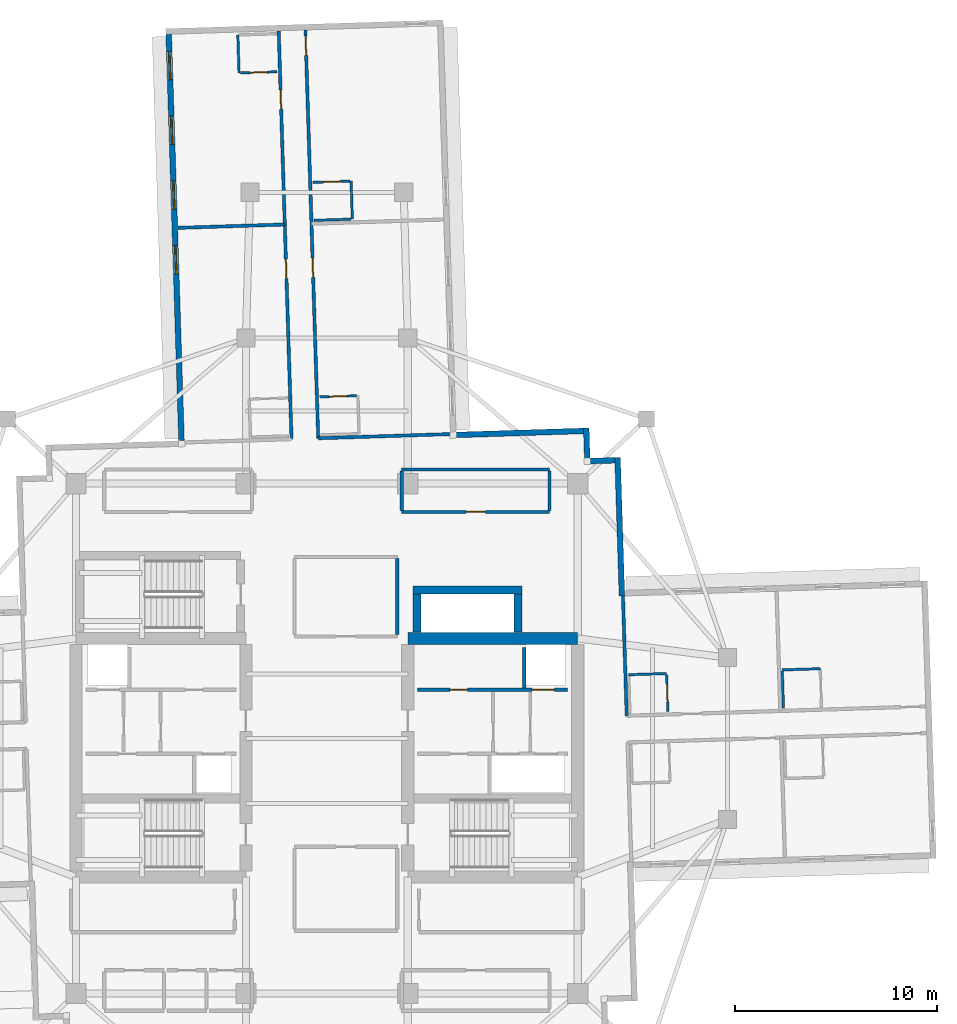
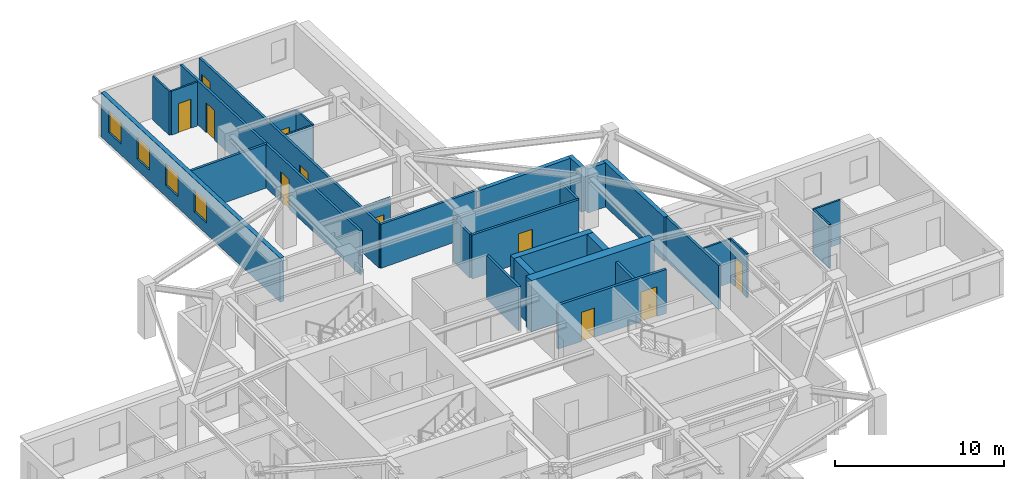
# One storey, part 7 of 12: 31 walls, 11 doors, 4 windows, 15 openings.
"""IFC4 building model written with IfcOpenShell, lengths in metres."""

from ifc_helpers import new_model, si_unit, direction, frame, frame_2d, origin, place, context, subcontext, project, spatial, rectangle, extrude, material, layer, layer_set, type_object, element, fill, save


model = new_model("IFC4")

# Units and contexts
model_context = context("Model", 3, precision=1e-05, world=origin(), true_north=direction((0.0, 1.0)))
body_context = subcontext(model_context, "Body", "Model", "MODEL_VIEW")
ifc_project = project(units=[si_unit("LENGTHUNIT", "METRE"), si_unit("AREAUNIT", "SQUARE_METRE"), si_unit("VOLUMEUNIT", "CUBIC_METRE"), si_unit("PLANEANGLEUNIT", "RADIAN"), si_unit("MASSUNIT", "GRAM", prefix="KILO")], contexts=[model_context])

# Site, building, storey
site_placement = place(None, origin())
site = spatial("IfcSite", under=ifc_project, at=site_placement, CompositionType="ELEMENT")
building_placement = place(site_placement, origin())
building = spatial("IfcBuilding", under=site, at=building_placement, Name="Qingluan Cross Belvedere", CompositionType="ELEMENT")
storey_placement = place(building_placement, frame((0.0, 0.0, 216.89990234375)))
storey = spatial("IfcBuildingStorey", under=building, at=storey_placement, Name="L54", CompositionType="ELEMENT", Elevation=216.89990234375)

# Walls
ifc_material_1 = material(Name="Concrete C50", Category="concrete")
ifc_layer_1 = layer(ifc_material_1, 0.449951171875, Name="CoreShearWall_450")
ifc_layer_set_1 = layer_set([ifc_layer_1], Name="Concrete C50")
wall_type_1 = type_object("IfcWallType", Name="CoreShearWall_450", PredefinedType="SHEAR", material=ifc_layer_set_1)
wall_1_placement = place(storey_placement, frame((4.449951171875, 5.2548828125, 0.0), z_axis=(0.0, 0.0, 1.0), x_axis=(0.0, 1.0, 0.0)))
element("IfcWall", 1, at=wall_1_placement, inside=storey, type_object=wall_type_1, Name="Express shuttle core wall L54-W", PredefinedType="SHEAR", context=body_context, shape_type="SweptSolid", body=[
    extrude(rectangle(XDim=1.885009765625, YDim=0.39990234375, at=frame_2d((0.9423828125, 0.0))), origin(), (0.0, 0.0, 1.0), 3.7001953125),
])
wall_2_placement = place(storey_placement, frame((4.25, 7.35009765625, 0.0), z_axis=(0.0, 0.0, 1.0), x_axis=(1.0, 0.0, 0.0)))
element("IfcWall", 2, at=wall_2_placement, inside=storey, type_object=wall_type_1, Name="Express shuttle core wall L54-N", PredefinedType="SHEAR", context=body_context, shape_type="SweptSolid", body=[
    extrude(rectangle(XDim=5.39990234375, YDim=0.39990234375, at=frame_2d((2.699951171875, 0.0))), origin(), (0.0, 0.0, 1.0), 3.7001953125),
])
wall_3_placement = place(storey_placement, frame((9.449951171875, 5.2548828125, 0.0), z_axis=(0.0, 0.0, 1.0), x_axis=(0.0, 1.0, 0.0)))
element("IfcWall", 3, at=wall_3_placement, inside=storey, type_object=wall_type_1, Name="Express shuttle core wall L54-E", PredefinedType="SHEAR", context=body_context, shape_type="SweptSolid", body=[
    extrude(rectangle(XDim=1.885009765625, YDim=0.39990234375, at=frame_2d((0.9423828125, 0.0))), origin(), (0.0, 0.0, 1.0), 3.7001953125),
])
ifc_material_2 = material(Name="Concrete C60", Category="concrete")
ifc_layer_2 = layer(ifc_material_2, 0.60009765625, Name="CoreShearWall_600")
ifc_layer_set_2 = layer_set([ifc_layer_2], Name="Concrete C60")
wall_type_2 = type_object("IfcWallType", Name="CoreShearWall_600", PredefinedType="SHEAR", material=ifc_layer_set_2)
wall_4_placement = place(storey_placement, frame((4.0, 4.949951171875, 0.0), z_axis=(0.0, 0.0, 1.0), x_axis=(1.0, 0.0, 0.0)))
element("IfcWall", 4, at=wall_4_placement, inside=storey, type_object=wall_type_2, Name="Split core E shear wall L54-N", PredefinedType="SHEAR", context=body_context, shape_type="SweptSolid", body=[
    extrude(rectangle(XDim=8.39990234375, YDim=0.60009765625, at=frame_2d((4.199951171875, 0.0))), origin(), (0.0, 0.0, 1.0), 3.7001953125),
])

# Wall, opening, door
ifc_material_3 = material(Name="Gypsum plasterboard on steel stud acoustic partition", Category="steel")
ifc_layer_3 = layer(ifc_material_3, 0.159912109375, Name="CorridorPartition_160")
ifc_layer_set_3 = layer_set([ifc_layer_3], Name="Gypsum plasterboard on steel stud acoustic partition")
wall_type_3 = type_object("IfcWallType", Name="CorridorPartition_160", PredefinedType="PARTITIONING", material=ifc_layer_set_3)
wall_5_placement = place(storey_placement, frame((3.699951171875, 11.199951171875, 0.0), z_axis=(0.0, 0.0, 1.0), x_axis=(1.0, 0.0, 0.0)))
wall_5 = element("IfcWall", 5, at=wall_5_placement, inside=storey, type_object=wall_type_3, Name="Partition L54:q_ne:S", PredefinedType="PARTITIONING", context=body_context, shape_type="SweptSolid", body=[
    extrude(rectangle(XDim=7.300048828125, YDim=0.159912109375, at=frame_2d((3.64990234375, 0.0))), origin(), (0.0, 0.0, 1.0), 3.170166015625),
])
opening_1_placement = place(wall_5_placement, frame((3.169921875, 0.0, 0.0)))
opening_1 = element("IfcOpeningElement", 6, at=opening_1_placement, cuts=wall_5, Name="Opening GD-10", PredefinedType="OPENING", context=body_context, shape_type="SweptSolid", body=[
    extrude(rectangle(XDim=0.9599609375, YDim=2.14990234375, at=frame_2d((0.47998046875, 1.074951171875))), frame((0.0, 0.08984375, 0.0), z_axis=(0.0, -1.0, 0.0), x_axis=(1.0, 0.0, 0.0)), (0.0, 0.0, 1.0), 0.179931640625),
])
ifc_material_4 = material(Name="Timber oak fire-rated acoustic guestroom door", Category="wood")
door_type_1 = type_object("IfcDoorType", Name="GuestEntryDoor_FD60", OperationType="NOTDEFINED", PredefinedType="DOOR", material=ifc_material_4)
door_1_placement = place(opening_1_placement, origin())
door_1 = element("IfcDoor", 7, at=door_1_placement, inside=storey, type_object=door_type_1, Name="Horizon club lounge L54 door", OperationType="SINGLE_SWING_LEFT", OverallHeight=2.14990234375, OverallWidth=0.9599609375, PredefinedType="DOOR", context=body_context, shape_type="SweptSolid", body=[
    extrude(rectangle(XDim=0.9599609375, YDim=2.14990234375, at=frame_2d((0.47998046875, 1.074951171875))), frame((0.0, 0.02490234375, 0.0), z_axis=(0.0, -1.0, 0.0), x_axis=(1.0, 0.0, 0.0)), (0.0, 0.0, 1.0), 0.050048828125),
])
fill(opening_1, door_1)

# Walls
wall_6_placement = place(storey_placement, frame((3.699951171875, 13.300048828125, 0.0), z_axis=(0.0, 0.0, 1.0), x_axis=(1.0, 0.0, 0.0)))
element("IfcWall", 8, at=wall_6_placement, inside=storey, type_object=wall_type_3, Name="Partition L54:q_ne:N", PredefinedType="PARTITIONING", context=body_context, shape_type="SweptSolid", body=[
    extrude(rectangle(XDim=7.300048828125, YDim=0.159912109375, at=frame_2d((3.64990234375, 0.0))), origin(), (0.0, 0.0, 1.0), 3.170166015625),
])
for number, where, z_axis, x_axis, name in (
    (9, (3.699951171875, 11.284912109375, 0.0), (0.0, 0.0, 1.0), (0.0, 1.0, 0.0), "Partition L54:q_ne:W"),
    (10, (11.0, 11.284912109375, 0.0), (0.0, 0.0, 1.0), (0.0, 1.0, 0.0), "Partition L54:q_ne:E"),
):
    element("IfcWall", number, at=place(storey_placement, frame(where, z_axis=z_axis, x_axis=x_axis)), inside=storey, type_object=wall_type_3, Name=name, PredefinedType="PARTITIONING", context=body_context, shape_type="SweptSolid", body=[
        extrude(rectangle(XDim=1.93017578125, YDim=0.159912109375, at=frame_2d((0.965087890625, 0.0))), origin(), (0.0, 0.0, 1.0), 3.170166015625),
    ])
wall_7_placement = place(storey_placement, frame((3.47998046875, 5.135009765625, 0.0), z_axis=(0.0, 0.0, 1.0), x_axis=(0.0, 1.0, 0.0)))
element("IfcWall", 11, at=wall_7_placement, inside=storey, type_object=wall_type_3, Name="Partition L54:sky_tea_alcove:E", PredefinedType="PARTITIONING", context=body_context, shape_type="SweptSolid", body=[
    extrude(rectangle(XDim=3.760009765625, YDim=0.159912109375, at=frame_2d((1.8798828125, 0.0))), origin(), (0.0, 0.0, 1.0), 3.170166015625),
])
wall_8_placement = place(storey_placement, frame((14.822021484375, 1.126220703125, 0.0), z_axis=(0.0, 0.0, 1.0), x_axis=(-0.031426852351, 0.999506054485, 0.0)))
element("IfcWall", 12, at=wall_8_placement, inside=storey, type_object=wall_type_3, Name="Partition L54:E:s0", PredefinedType="PARTITIONING", context=body_context, shape_type="SweptSolid", body=[
    extrude(rectangle(XDim=5.911865234375, YDim=0.159912109375, at=frame_2d((2.9560546875, 0.0))), origin(), (0.0, 0.0, 1.0), 3.170166015625),
])

# Wall, openings, doors
wall_9_placement = place(storey_placement, frame((-0.426513671875, 14.843994140625, 0.0), z_axis=(0.0, 0.0, 1.0), x_axis=(-0.031415650687, 0.999506406629, 0.0)))
wall_9 = element("IfcWall", 13, at=wall_9_placement, inside=storey, type_object=wall_type_3, Name="Partition L54:N:c0", PredefinedType="PARTITIONING", context=body_context, shape_type="SweptSolid", body=[
    extrude(rectangle(XDim=20.18212890625, YDim=0.159912109375, at=frame_2d((10.091064453125, 0.0))), origin(), (0.0, 0.0, 1.0), 3.170166015625),
])
opening_2_placement = place(wall_9_placement, frame((7.949951171875, 0.0, 0.0)))
opening_2 = element("IfcOpeningElement", 14, at=opening_2_placement, cuts=wall_9, Name="Opening GD-10", PredefinedType="OPENING", context=body_context, shape_type="SweptSolid", body=[
    extrude(rectangle(XDim=0.9599609375, YDim=2.14990234375, at=frame_2d((0.47998046875, 1.074951171875))), frame((0.0, 0.08984375, 0.0), z_axis=(0.0, -1.0, 0.0), x_axis=(1.0, 0.0, 0.0)), (0.0, 0.0, 1.0), 0.179931640625),
])
opening_3_placement = place(wall_9_placement, frame((18.929931640625, 0.0, 0.0)))
opening_3 = element("IfcOpeningElement", 15, at=opening_3_placement, cuts=wall_9, Name="Opening GD-10", PredefinedType="OPENING", context=body_context, shape_type="SweptSolid", body=[
    extrude(rectangle(XDim=0.9599609375, YDim=2.14990234375, at=frame_2d((0.47998046875, 1.074951171875))), frame((0.0, 0.08984375, 0.0), z_axis=(0.0, -1.0, 0.0), x_axis=(1.0, 0.0, 0.0)), (0.0, 0.0, 1.0), 0.179931640625),
])
door_2_placement = place(opening_2_placement, origin())
door_2 = element("IfcDoor", 16, at=door_2_placement, inside=storey, type_object=door_type_1, Name="Guest entry fire door 5409", OperationType="SINGLE_SWING_RIGHT", OverallHeight=2.14990234375, OverallWidth=0.9599609375, PredefinedType="DOOR", context=body_context, shape_type="SweptSolid", body=[
    extrude(rectangle(XDim=0.9599609375, YDim=2.14990234375, at=frame_2d((0.47998046875, 1.074951171875))), frame((0.0, 0.02490234375, 0.0), z_axis=(0.0, -1.0, 0.0), x_axis=(1.0, 0.0, 0.0)), (0.0, 0.0, 1.0), 0.050048828125),
])
fill(opening_2, door_2)
door_3_placement = place(opening_3_placement, origin())
door_3 = element("IfcDoor", 17, at=door_3_placement, inside=storey, type_object=door_type_1, Name="Guest entry fire door 5410", OperationType="SINGLE_SWING_RIGHT", OverallHeight=2.14990234375, OverallWidth=0.9599609375, PredefinedType="DOOR", context=body_context, shape_type="SweptSolid", body=[
    extrude(rectangle(XDim=0.9599609375, YDim=2.14990234375, at=frame_2d((0.47998046875, 1.074951171875))), frame((0.0, 0.02490234375, 0.0), z_axis=(0.0, -1.0, 0.0), x_axis=(1.0, 0.0, 0.0)), (0.0, 0.0, 1.0), 0.050048828125),
])
fill(opening_3, door_3)

# Wall
wall_10_placement = place(storey_placement, frame((-0.426513671875, 14.843994140625, 0.0), z_axis=(0.0, 0.0, 1.0), x_axis=(0.999507071439, 0.031394492261, 0.0)))
element("IfcWall", 18, at=wall_10_placement, inside=storey, type_object=wall_type_3, Name="Partition L54:N:s0", PredefinedType="PARTITIONING", context=body_context, shape_type="SweptSolid", body=[
    extrude(rectangle(XDim=6.679931640625, YDim=0.159912109375, at=frame_2d((3.33984375, 0.0))), origin(), (0.0, 0.0, 1.0), 3.170166015625),
])

# Wall, openings, doors
wall_11_placement = place(storey_placement, frame((-1.745849609375, 14.802490234375, 0.0), z_axis=(0.0, 0.0, 1.0), x_axis=(-0.031415650687, 0.999506406629, 0.0)))
wall_11 = element("IfcWall", 19, at=wall_11_placement, inside=storey, type_object=wall_type_3, Name="Partition L54:N:c1", PredefinedType="PARTITIONING", context=body_context, shape_type="SweptSolid", body=[
    extrude(rectangle(XDim=20.18212890625, YDim=0.159912109375, at=frame_2d((10.091064453125, 0.0))), origin(), (0.0, 0.0, 1.0), 3.170166015625),
])
opening_4_placement = place(wall_11_placement, frame((7.949951171875, 0.0, 0.0)))
opening_4 = element("IfcOpeningElement", 20, at=opening_4_placement, cuts=wall_11, Name="Opening GD-10", PredefinedType="OPENING", context=body_context, shape_type="SweptSolid", body=[
    extrude(rectangle(XDim=0.9599609375, YDim=2.14990234375, at=frame_2d((0.47998046875, 1.074951171875))), frame((0.0, 0.08984375, 0.0), z_axis=(0.0, -1.0, 0.0), x_axis=(1.0, 0.0, 0.0)), (0.0, 0.0, 1.0), 0.179931640625),
])
opening_5_placement = place(wall_11_placement, frame((16.31005859375, 0.0, 0.0)))
opening_5 = element("IfcOpeningElement", 21, at=opening_5_placement, cuts=wall_11, Name="Opening GD-10", PredefinedType="OPENING", context=body_context, shape_type="SweptSolid", body=[
    extrude(rectangle(XDim=0.9599609375, YDim=2.14990234375, at=frame_2d((0.47998046875, 1.074951171875))), frame((0.0, 0.08984375, 0.0), z_axis=(0.0, -1.0, 0.0), x_axis=(1.0, 0.0, 0.0)), (0.0, 0.0, 1.0), 0.179931640625),
])
door_4_placement = place(opening_4_placement, origin())
door_4 = element("IfcDoor", 22, at=door_4_placement, inside=storey, type_object=door_type_1, Name="Guest entry fire door 5411", OperationType="SINGLE_SWING_RIGHT", OverallHeight=2.14990234375, OverallWidth=0.9599609375, PredefinedType="DOOR", context=body_context, shape_type="SweptSolid", body=[
    extrude(rectangle(XDim=0.9599609375, YDim=2.14990234375, at=frame_2d((0.47998046875, 1.074951171875))), frame((0.0, 0.02490234375, 0.0), z_axis=(0.0, -1.0, 0.0), x_axis=(1.0, 0.0, 0.0)), (0.0, 0.0, 1.0), 0.050048828125),
])
fill(opening_4, door_4)
door_5_placement = place(opening_5_placement, origin())
door_5 = element("IfcDoor", 23, at=door_5_placement, inside=storey, type_object=door_type_1, Name="Guest entry fire door 5412", OperationType="SINGLE_SWING_RIGHT", OverallHeight=2.14990234375, OverallWidth=0.9599609375, PredefinedType="DOOR", context=body_context, shape_type="SweptSolid", body=[
    extrude(rectangle(XDim=0.9599609375, YDim=2.14990234375, at=frame_2d((0.47998046875, 1.074951171875))), frame((0.0, 0.02490234375, 0.0), z_axis=(0.0, -1.0, 0.0), x_axis=(1.0, 0.0, 0.0)), (0.0, 0.0, 1.0), 0.050048828125),
])
fill(opening_5, door_5)

# Wall
wall_12_placement = place(storey_placement, frame((-2.0791015625, 25.4091796875, 0.0), z_axis=(0.0, 0.0, 1.0), x_axis=(-0.999506388694, -0.031416221301, 0.0)))
element("IfcWall", 24, at=wall_12_placement, inside=storey, type_object=wall_type_3, Name="Partition L54:N:d1_0", PredefinedType="PARTITIONING", context=body_context, shape_type="SweptSolid", body=[
    extrude(rectangle(XDim=5.292236328125, YDim=0.159912109375, at=frame_2d((2.64599609375, 0.0))), origin(), (0.0, 0.0, 1.0), 3.170166015625),
])

# Wall, opening, door
ifc_material_5 = material(Name="Moisture-resistant gypsum board lining")
ifc_layer_4 = layer(ifc_material_5, 0.1201171875, Name="EnsuiteWetPartition_120")
ifc_layer_set_4 = layer_set([ifc_layer_4], Name="Moisture-resistant gypsum board lining")
wall_type_4 = type_object("IfcWallType", Name="EnsuiteWetPartition_120", PredefinedType="PARTITIONING", material=ifc_layer_set_4)
wall_13_placement = place(storey_placement, frame((16.8564453125, 1.330078125, 0.0), z_axis=(0.0, 0.0, 1.0), x_axis=(-0.031389704724, 0.999507221803, 0.0)))
wall_13 = element("IfcWall", 25, at=wall_13_placement, inside=storey, type_object=wall_type_4, Name="Partition L54:E:bs0_0", PredefinedType="PARTITIONING", context=body_context, shape_type="SweptSolid", body=[
    extrude(rectangle(XDim=1.820068359375, YDim=0.1201171875, at=frame_2d((0.91015625, 0.0))), origin(), (0.0, 0.0, 1.0), 3.170166015625),
])
opening_6_placement = place(wall_13_placement, frame((0.469970703125, 0.0, 0.0)))
opening_6 = element("IfcOpeningElement", 26, at=opening_6_placement, cuts=wall_13, Name="Opening BD-09", PredefinedType="OPENING", context=body_context, shape_type="SweptSolid", body=[
    extrude(rectangle(XDim=0.8798828125, YDim=2.10009765625, at=frame_2d((0.43994140625, 1.050048828125))), frame((0.0, 0.070068359375, 0.0), z_axis=(0.0, -1.0, 0.0), x_axis=(1.0, 0.0, 0.0)), (0.0, 0.0, 1.0), 0.14013671875),
])
ifc_material_6 = material(Name="Moisture-sealed timber en-suite door", Category="wood")
door_type_2 = type_object("IfcDoorType", Name="BathroomDoor_880", OperationType="NOTDEFINED", PredefinedType="DOOR", material=ifc_material_6)
door_6_placement = place(opening_6_placement, origin())
door_6 = element("IfcDoor", 27, at=door_6_placement, inside=storey, type_object=door_type_2, Name="Bathroom door 5401", OperationType="SINGLE_SWING_LEFT", OverallHeight=2.10009765625, OverallWidth=0.8798828125, PredefinedType="DOOR", context=body_context, shape_type="SweptSolid", body=[
    extrude(rectangle(XDim=0.8798828125, YDim=2.10009765625, at=frame_2d((0.43994140625, 1.050048828125))), frame((0.0, 0.02490234375, 0.0), z_axis=(0.0, -1.0, 0.0), x_axis=(1.0, 0.0, 0.0)), (0.0, 0.0, 1.0), 0.050048828125),
])
fill(opening_6, door_6)

# Walls
wall_14_placement = place(storey_placement, frame((14.918212890625, 3.1552734375, 0.0), z_axis=(0.0, 0.0, 1.0), x_axis=(0.999510173889, 0.031295563454, 0.0)))
element("IfcWall", 28, at=wall_14_placement, inside=storey, type_object=wall_type_4, Name="Partition L54:E:bn0_0", PredefinedType="PARTITIONING", context=body_context, shape_type="SweptSolid", body=[
    extrude(rectangle(XDim=1.880126953125, YDim=0.1201171875, at=frame_2d((0.93994140625, 0.0))), origin(), (0.0, 0.0, 1.0), 3.170166015625),
])
wall_15_placement = place(storey_placement, frame((22.569580078125, 1.509765625, 0.0), z_axis=(0.0, 0.0, 1.0), x_axis=(-0.031389704724, 0.999507221803, 0.0)))
element("IfcWall", 29, at=wall_15_placement, inside=storey, type_object=wall_type_4, Name="Partition L54:E:bw0_1", PredefinedType="PARTITIONING", context=body_context, shape_type="SweptSolid", body=[
    extrude(rectangle(XDim=1.820068359375, YDim=0.1201171875, at=frame_2d((0.91015625, 0.0))), origin(), (0.0, 0.0, 1.0), 3.170166015625),
])
wall_16_placement = place(storey_placement, frame((22.510498046875, 3.393798828125, 0.0), z_axis=(0.0, 0.0, 1.0), x_axis=(0.999506103526, 0.031425292588, 0.0)))
element("IfcWall", 30, at=wall_16_placement, inside=storey, type_object=wall_type_4, Name="Partition L54:E:bn0_1", PredefinedType="PARTITIONING", context=body_context, shape_type="SweptSolid", body=[
    extrude(rectangle(XDim=1.880126953125, YDim=0.1201171875, at=frame_2d((0.93994140625, 0.0))), origin(), (0.0, 0.0, 1.0), 3.170166015625),
])

# Wall, opening, door
wall_17_placement = place(storey_placement, frame((-0.3505859375, 16.88720703125, 0.0), z_axis=(0.0, 0.0, 1.0), x_axis=(0.999503004171, 0.03152371574, 0.0)))
wall_17 = element("IfcWall", 31, at=wall_17_placement, inside=storey, type_object=wall_type_4, Name="Partition L54:N:bs0_0", PredefinedType="PARTITIONING", context=body_context, shape_type="SweptSolid", body=[
    extrude(rectangle(XDim=1.820068359375, YDim=0.1201171875, at=frame_2d((0.91015625, 0.0))), origin(), (0.0, 0.0, 1.0), 3.170166015625),
])
opening_7_placement = place(wall_17_placement, frame((0.469970703125, 0.0, 0.0)))
opening_7 = element("IfcOpeningElement", 32, at=opening_7_placement, cuts=wall_17, Name="Opening BD-09", PredefinedType="OPENING", context=body_context, shape_type="SweptSolid", body=[
    extrude(rectangle(XDim=0.8798828125, YDim=2.10009765625, at=frame_2d((0.43994140625, 1.050048828125))), frame((0.0, 0.070068359375, 0.0), z_axis=(0.0, -1.0, 0.0), x_axis=(1.0, 0.0, 0.0)), (0.0, 0.0, 1.0), 0.14013671875),
])
door_7_placement = place(opening_7_placement, origin())
door_7 = element("IfcDoor", 33, at=door_7_placement, inside=storey, type_object=door_type_2, Name="Bathroom door 5409", OperationType="SINGLE_SWING_LEFT", OverallHeight=2.10009765625, OverallWidth=0.8798828125, PredefinedType="DOOR", context=body_context, shape_type="SweptSolid", body=[
    extrude(rectangle(XDim=0.8798828125, YDim=2.10009765625, at=frame_2d((0.43994140625, 1.050048828125))), frame((0.0, 0.02490234375, 0.0), z_axis=(0.0, -1.0, 0.0), x_axis=(1.0, 0.0, 0.0)), (0.0, 0.0, 1.0), 0.050048828125),
])
fill(opening_7, door_7)

wall_18_placement = place(storey_placement, frame((-0.683837890625, 27.494140625, 0.0), z_axis=(0.0, 0.0, 1.0), x_axis=(0.999507221803, 0.031389704724, 0.0)))
wall_18 = element("IfcWall", 34, at=wall_18_placement, inside=storey, type_object=wall_type_4, Name="Partition L54:N:bs0_1", PredefinedType="PARTITIONING", context=body_context, shape_type="SweptSolid", body=[
    extrude(rectangle(XDim=1.820068359375, YDim=0.1201171875, at=frame_2d((0.91015625, 0.0))), origin(), (0.0, 0.0, 1.0), 3.170166015625),
])
opening_8_placement = place(wall_18_placement, frame((0.469970703125, 0.0, 0.0)))
opening_8 = element("IfcOpeningElement", 35, at=opening_8_placement, cuts=wall_18, Name="Opening BD-09", PredefinedType="OPENING", context=body_context, shape_type="SweptSolid", body=[
    extrude(rectangle(XDim=0.8798828125, YDim=2.10009765625, at=frame_2d((0.43994140625, 1.050048828125))), frame((0.0, 0.070068359375, 0.0), z_axis=(0.0, -1.0, 0.0), x_axis=(1.0, 0.0, 0.0)), (0.0, 0.0, 1.0), 0.14013671875),
])
door_8_placement = place(opening_8_placement, origin())
door_8 = element("IfcDoor", 36, at=door_8_placement, inside=storey, type_object=door_type_2, Name="Bathroom door 5410", OperationType="SINGLE_SWING_LEFT", OverallHeight=2.10009765625, OverallWidth=0.8798828125, PredefinedType="DOOR", context=body_context, shape_type="SweptSolid", body=[
    extrude(rectangle(XDim=0.8798828125, YDim=2.10009765625, at=frame_2d((0.43994140625, 1.050048828125))), frame((0.0, 0.02490234375, 0.0), z_axis=(0.0, -1.0, 0.0), x_axis=(1.0, 0.0, 0.0)), (0.0, 0.0, 1.0), 0.050048828125),
])
fill(opening_8, door_8)

# Walls
wall_19_placement = place(storey_placement, frame((-0.625, 25.614990234375, 0.0), z_axis=(0.0, 0.0, 1.0), x_axis=(0.999507221803, 0.031389704724, 0.0)))
element("IfcWall", 37, at=wall_19_placement, inside=storey, type_object=wall_type_4, Name="Partition L54:N:bw0_1", PredefinedType="PARTITIONING", context=body_context, shape_type="SweptSolid", body=[
    extrude(rectangle(XDim=1.820068359375, YDim=0.1201171875, at=frame_2d((0.91015625, 0.0))), origin(), (0.0, 0.0, 1.0), 3.170166015625),
])
wall_20_placement = place(storey_placement, frame((1.25927734375, 25.67431640625, 0.0), z_axis=(0.0, 0.0, 1.0), x_axis=(-0.031429371883, 0.999505975261, 0.0)))
element("IfcWall", 38, at=wall_20_placement, inside=storey, type_object=wall_type_4, Name="Partition L54:N:bn0_1", PredefinedType="PARTITIONING", context=body_context, shape_type="SweptSolid", body=[
    extrude(rectangle(XDim=1.8798828125, YDim=0.1201171875, at=frame_2d((0.93994140625, 0.0))), origin(), (0.0, 0.0, 1.0), 3.170166015625),
])

# Wall, opening, door
wall_21_placement = place(storey_placement, frame((-4.275634765625, 32.90185546875, 0.0), z_axis=(0.0, 0.0, 1.0), x_axis=(0.999507221803, 0.031389704724, 0.0)))
wall_21 = element("IfcWall", 39, at=wall_21_placement, inside=storey, type_object=wall_type_4, Name="Partition L54:N:bs1_1", PredefinedType="PARTITIONING", context=body_context, shape_type="SweptSolid", body=[
    extrude(rectangle(XDim=1.820068359375, YDim=0.1201171875, at=frame_2d((0.91015625, 0.0))), origin(), (0.0, 0.0, 1.0), 3.170166015625),
])
opening_9_placement = place(wall_21_placement, frame((0.469970703125, 0.0, 0.0)))
opening_9 = element("IfcOpeningElement", 40, at=opening_9_placement, cuts=wall_21, Name="Opening BD-09", PredefinedType="OPENING", context=body_context, shape_type="SweptSolid", body=[
    extrude(rectangle(XDim=0.8798828125, YDim=2.10009765625, at=frame_2d((0.43994140625, 1.050048828125))), frame((0.0, 0.070068359375, 0.0), z_axis=(0.0, -1.0, 0.0), x_axis=(1.0, 0.0, 0.0)), (0.0, 0.0, 1.0), 0.14013671875),
])
door_9_placement = place(opening_9_placement, origin())
door_9 = element("IfcDoor", 41, at=door_9_placement, inside=storey, type_object=door_type_2, Name="Bathroom door 5412", OperationType="SINGLE_SWING_LEFT", OverallHeight=2.10009765625, OverallWidth=0.8798828125, PredefinedType="DOOR", context=body_context, shape_type="SweptSolid", body=[
    extrude(rectangle(XDim=0.8798828125, YDim=2.10009765625, at=frame_2d((0.43994140625, 1.050048828125))), frame((0.0, 0.02490234375, 0.0), z_axis=(0.0, -1.0, 0.0), x_axis=(1.0, 0.0, 0.0)), (0.0, 0.0, 1.0), 0.050048828125),
])
fill(opening_9, door_9)

# Wall
wall_22_placement = place(storey_placement, frame((-4.340576171875, 32.89990234375, 0.0), z_axis=(0.0, 0.0, 1.0), x_axis=(-0.031425292588, 0.999506103526, 0.0)))
element("IfcWall", 42, at=wall_22_placement, inside=storey, type_object=wall_type_4, Name="Partition L54:N:bc1_1", PredefinedType="PARTITIONING", context=body_context, shape_type="SweptSolid", body=[
    extrude(rectangle(XDim=1.880126953125, YDim=0.1201171875, at=frame_2d((0.93994140625, 0.0))), origin(), (0.0, 0.0, 1.0), 3.170166015625),
])

# Wall, openings, windows
ifc_material_7 = material(Name="Precast concrete C45", Category="concrete")
ifc_layer_5 = layer(ifc_material_7, 0.280029296875, Name="PrecastFacadeWall_280")
ifc_layer_set_5 = layer_set([ifc_layer_5], Name="Precast concrete C45")
wall_type_5 = type_object("IfcWallType", Name="PrecastFacadeWall_280", PredefinedType="STANDARD", material=ifc_layer_set_5)
wall_23_placement = place(storey_placement, frame((-7.8173828125, 34.8115234375, 0.0), z_axis=(0.0, 0.0, 1.0), x_axis=(0.031410322165, -0.999506574096, 0.0)))
wall_23 = element("IfcWall", 43, at=wall_23_placement, inside=storey, type_object=wall_type_5, Name="Facade wall L54-NB", PredefinedType="STANDARD", context=body_context, shape_type="SweptSolid", body=[
    extrude(rectangle(XDim=20.10009765625, YDim=0.280029296875, at=frame_2d((10.050048828125, 0.0))), origin(), (0.0, 0.0, 1.0), 3.18017578125),
])
opening_10_placement = place(wall_23_placement, frame((0.85009765625, 0.0, 0.800048828125)))
opening_10 = element("IfcOpeningElement", 44, at=opening_10_placement, cuts=wall_23, Name="Opening W-01", PredefinedType="OPENING", context=body_context, shape_type="SweptSolid", body=[
    extrude(rectangle(XDim=1.39990234375, YDim=1.60009765625, at=frame_2d((0.699951171875, 0.800048828125))), frame((0.0, 0.14990234375, 0.0), z_axis=(0.0, -1.0, 0.0), x_axis=(1.0, 0.0, 0.0)), (0.0, 0.0, 1.0), 0.300048828125),
])
opening_11_placement = place(wall_23_placement, frame((4.050048828125, 0.0, 0.800048828125)))
opening_11 = element("IfcOpeningElement", 45, at=opening_11_placement, cuts=wall_23, Name="Opening W-01", PredefinedType="OPENING", context=body_context, shape_type="SweptSolid", body=[
    extrude(rectangle(XDim=1.39990234375, YDim=1.60009765625, at=frame_2d((0.699951171875, 0.800048828125))), frame((0.0, 0.14990234375, 0.0), z_axis=(0.0, -1.0, 0.0), x_axis=(1.0, 0.0, 0.0)), (0.0, 0.0, 1.0), 0.300048828125),
])
opening_12_placement = place(wall_23_placement, frame((7.25, 0.0, 0.800048828125)))
opening_12 = element("IfcOpeningElement", 46, at=opening_12_placement, cuts=wall_23, Name="Opening W-01", PredefinedType="OPENING", context=body_context, shape_type="SweptSolid", body=[
    extrude(rectangle(XDim=1.39990234375, YDim=1.60009765625, at=frame_2d((0.699951171875, 0.800048828125))), frame((0.0, 0.14990234375, 0.0), z_axis=(0.0, -1.0, 0.0), x_axis=(1.0, 0.0, 0.0)), (0.0, 0.0, 1.0), 0.300048828125),
])
opening_13_placement = place(wall_23_placement, frame((10.449951171875, 0.0, 0.800048828125)))
opening_13 = element("IfcOpeningElement", 47, at=opening_13_placement, cuts=wall_23, Name="Opening W-01", PredefinedType="OPENING", context=body_context, shape_type="SweptSolid", body=[
    extrude(rectangle(XDim=1.39990234375, YDim=1.60009765625, at=frame_2d((0.699951171875, 0.800048828125))), frame((0.0, 0.14990234375, 0.0), z_axis=(0.0, -1.0, 0.0), x_axis=(1.0, 0.0, 0.0)), (0.0, 0.0, 1.0), 0.300048828125),
])
ifc_material_8 = material(Name="Thermally broken triple Low-E glass in aluminium frame", Category="aluminium")
window_type = type_object("IfcWindowType", Name="TriRibbonWin_1400x1600", PartitioningType="SINGLE_PANEL", PredefinedType="WINDOW", material=ifc_material_8)
window_1_placement = place(opening_10_placement, origin())
window_1 = element("IfcWindow", 48, at=window_1_placement, inside=storey, type_object=window_type, Name="Ribbon window L54-NB-1", OverallHeight=1.60009765625, OverallWidth=1.39990234375, PartitioningType="SINGLE_PANEL", PredefinedType="WINDOW", context=body_context, shape_type="SweptSolid", body=[
    extrude(rectangle(XDim=1.39990234375, YDim=1.60009765625, at=frame_2d((0.699951171875, 0.800048828125))), frame((0.0, 0.030029296875, 0.0), z_axis=(0.0, -1.0, 0.0), x_axis=(1.0, 0.0, 0.0)), (0.0, 0.0, 1.0), 0.06005859375),
])
fill(opening_10, window_1)
window_2_placement = place(opening_11_placement, origin())
window_2 = element("IfcWindow", 49, at=window_2_placement, inside=storey, type_object=window_type, Name="Ribbon window L54-NB-2", OverallHeight=1.60009765625, OverallWidth=1.39990234375, PartitioningType="SINGLE_PANEL", PredefinedType="WINDOW", context=body_context, shape_type="SweptSolid", body=[
    extrude(rectangle(XDim=1.39990234375, YDim=1.60009765625, at=frame_2d((0.699951171875, 0.800048828125))), frame((0.0, 0.030029296875, 0.0), z_axis=(0.0, -1.0, 0.0), x_axis=(1.0, 0.0, 0.0)), (0.0, 0.0, 1.0), 0.06005859375),
])
fill(opening_11, window_2)
window_3_placement = place(opening_12_placement, origin())
window_3 = element("IfcWindow", 50, at=window_3_placement, inside=storey, type_object=window_type, Name="Ribbon window L54-NB-3", OverallHeight=1.60009765625, OverallWidth=1.39990234375, PartitioningType="SINGLE_PANEL", PredefinedType="WINDOW", context=body_context, shape_type="SweptSolid", body=[
    extrude(rectangle(XDim=1.39990234375, YDim=1.60009765625, at=frame_2d((0.699951171875, 0.800048828125))), frame((0.0, 0.030029296875, 0.0), z_axis=(0.0, -1.0, 0.0), x_axis=(1.0, 0.0, 0.0)), (0.0, 0.0, 1.0), 0.06005859375),
])
fill(opening_12, window_3)
window_4_placement = place(opening_13_placement, origin())
window_4 = element("IfcWindow", 51, at=window_4_placement, inside=storey, type_object=window_type, Name="Ribbon window L54-NB-4", OverallHeight=1.60009765625, OverallWidth=1.39990234375, PartitioningType="SINGLE_PANEL", PredefinedType="WINDOW", context=body_context, shape_type="SweptSolid", body=[
    extrude(rectangle(XDim=1.39990234375, YDim=1.60009765625, at=frame_2d((0.699951171875, 0.800048828125))), frame((0.0, 0.030029296875, 0.0), z_axis=(0.0, -1.0, 0.0), x_axis=(1.0, 0.0, 0.0)), (0.0, 0.0, 1.0), 0.06005859375),
])
fill(opening_13, window_4)

# Walls
wall_24_placement = place(storey_placement, frame((14.5859375, 7.04150390625, 0.0), z_axis=(0.0, 0.0, 1.0), x_axis=(-0.031389189386, 0.999507237988, 0.0)))
element("IfcWall", 52, at=wall_24_placement, inside=storey, type_object=wall_type_5, Name="Corner wall L54-NE1", PredefinedType="STANDARD", context=body_context, shape_type="SweptSolid", body=[
    extrude(rectangle(XDim=6.860107421875, YDim=0.280029296875, at=frame_2d((3.43017578125, 0.0))), origin(), (0.0, 0.0, 1.0), 3.18017578125),
])
wall_25_placement = place(storey_placement, frame((14.235107421875, 13.75390625, 0.0), z_axis=(0.0, 0.0, 1.0), x_axis=(-0.999506398264, -0.031415916822, 0.0)))
element("IfcWall", 53, at=wall_25_placement, inside=storey, type_object=wall_type_5, Name="Corner wall L54-NE2", PredefinedType="STANDARD", context=body_context, shape_type="SweptSolid", body=[
    extrude(rectangle(XDim=1.219970703125, YDim=0.280029296875, at=frame_2d((0.60986328125, 0.0))), origin(), (0.0, 0.0, 1.0), 3.18017578125),
])
wall_26_placement = place(storey_placement, frame((12.871337890625, 13.85107421875, 0.0), z_axis=(0.0, 0.0, 1.0), x_axis=(-0.031412596484, 0.999506502621, 0.0)))
element("IfcWall", 54, at=wall_26_placement, inside=storey, type_object=wall_type_5, Name="Corner wall L54-NE3", PredefinedType="STANDARD", context=body_context, shape_type="SweptSolid", body=[
    extrude(rectangle(XDim=1.5, YDim=0.280029296875, at=frame_2d((0.75, 0.0))), origin(), (0.0, 0.0, 1.0), 3.18017578125),
])
wall_27_placement = place(storey_placement, frame((12.688720703125, 15.2060546875, 0.0), z_axis=(0.0, 0.0, 1.0), x_axis=(-0.999507262922, -0.031388395416, 0.0)))
element("IfcWall", 55, at=wall_27_placement, inside=storey, type_object=wall_type_5, Name="Corner wall L54-NE4", PredefinedType="STANDARD", context=body_context, shape_type="SweptSolid", body=[
    extrude(rectangle(XDim=6.30029296875, YDim=0.280029296875, at=frame_2d((3.150146484375, 0.0))), origin(), (0.0, 0.0, 1.0), 3.18017578125),
])

# Wall, openings, doors
ifc_material_9 = material(Name="Concrete C40", Category="concrete")
ifc_layer_6 = layer(ifc_material_9, 0.219970703125, Name="ShaftEnclosureWall_250")
ifc_layer_set_6 = layer_set([ifc_layer_6], Name="Concrete C40")
wall_type_6 = type_object("IfcWallType", Name="ShaftEnclosureWall_250", PredefinedType="SOLIDWALL", material=ifc_layer_set_6)
wall_28_placement = place(storey_placement, frame((4.47998046875, 2.409912109375, 0.0), z_axis=(0.0, 0.0, 1.0), x_axis=(1.0, 0.0, 0.0)))
wall_28 = element("IfcWall", 56, at=wall_28_placement, inside=storey, type_object=wall_type_6, Name="Core-E north hoistway wall L54", PredefinedType="SOLIDWALL", context=body_context, shape_type="SweptSolid", body=[
    extrude(rectangle(XDim=7.419921875, YDim=0.179931640625, at=frame_2d((3.7099609375, 0.0))), origin(), (0.0, 0.0, 1.0), 3.170166015625),
])
opening_14_placement = place(wall_28_placement, frame((5.669921875, 0.0, 0.0)))
opening_14 = element("IfcOpeningElement", 57, at=opening_14_placement, cuts=wall_28, Name="Opening LD-11", PredefinedType="OPENING", context=body_context, shape_type="SweptSolid", body=[
    extrude(rectangle(XDim=1.10009765625, YDim=2.14990234375, at=frame_2d((0.550048828125, 1.074951171875))), frame((0.0, 0.099853515625, 0.0), z_axis=(0.0, -1.0, 0.0), x_axis=(1.0, 0.0, 0.0)), (0.0, 0.0, 1.0), 0.199951171875),
])
opening_15_placement = place(wall_28_placement, frame((1.60009765625, 0.0, 0.0)))
opening_15 = element("IfcOpeningElement", 58, at=opening_15_placement, cuts=wall_28, Name="Opening FD-B10", PredefinedType="OPENING", context=body_context, shape_type="SweptSolid", body=[
    extrude(rectangle(XDim=0.8798828125, YDim=2.10009765625, at=frame_2d((0.43994140625, 1.050048828125))), frame((0.0, 0.099853515625, 0.0), z_axis=(0.0, -1.0, 0.0), x_axis=(1.0, 0.0, 0.0)), (0.0, 0.0, 1.0), 0.199951171875),
])
ifc_material_10 = material(Name="Brushed stainless steel centre-opening lift landing door", Category="steel")
door_type_3 = type_object("IfcDoorType", Name="LiftLandingSlidingDoor_1100", OperationType="DOUBLE_DOOR_SLIDING", PredefinedType="DOOR", material=ifc_material_10)
door_10_placement = place(opening_14_placement, origin())
door_10 = element("IfcDoor", 59, at=door_10_placement, inside=storey, type_object=door_type_3, Name="Lift landing sliding door FL2 L54", OperationType="DOUBLE_DOOR_SLIDING", OverallHeight=2.14990234375, OverallWidth=1.10009765625, PredefinedType="DOOR", context=body_context, shape_type="SweptSolid", body=[
    extrude(rectangle(XDim=1.10009765625, YDim=2.14990234375, at=frame_2d((0.550048828125, 1.074951171875))), frame((0.0, 0.02490234375, 0.0), z_axis=(0.0, -1.0, 0.0), x_axis=(1.0, 0.0, 0.0)), (0.0, 0.0, 1.0), 0.050048828125),
])
fill(opening_14, door_10)
ifc_material_11 = material(Name="Steel Class B service fire door", Category="steel")
door_type_4 = type_object("IfcDoorType", Name="RiserServiceFireDoor_FDB", OperationType="NOTDEFINED", PredefinedType="DOOR", material=ifc_material_11)
door_11_placement = place(opening_15_placement, origin())
door_11 = element("IfcDoor", 60, at=door_11_placement, inside=storey, type_object=door_type_4, Name="Pantry room door E L54", OperationType="SINGLE_SWING_RIGHT", OverallHeight=2.10009765625, OverallWidth=0.8798828125, PredefinedType="DOOR", context=body_context, shape_type="SweptSolid", body=[
    extrude(rectangle(XDim=0.8798828125, YDim=2.10009765625, at=frame_2d((0.43994140625, 1.050048828125))), frame((0.0, 0.02490234375, 0.0), z_axis=(0.0, -1.0, 0.0), x_axis=(1.0, 0.0, 0.0)), (0.0, 0.0, 1.0), 0.050048828125),
])
fill(opening_15, door_11)

# Wall
wall_29_placement = place(storey_placement, frame((9.760009765625, 2.5, 0.0), z_axis=(0.0, 0.0, 1.0), x_axis=(0.0, 1.0, 0.0)))
element("IfcWall", 61, at=wall_29_placement, inside=storey, type_object=wall_type_6, Name="Hoistway enclosure divider FL2W L54", PredefinedType="SOLIDWALL", context=body_context, shape_type="SweptSolid", body=[
    extrude(rectangle(XDim=1.989990234375, YDim=0.179931640625, at=frame_2d((0.9951171875, 0.0))), origin(), (0.0, 0.0, 1.0), 3.170166015625),
])

save(model, "model.ifc")
